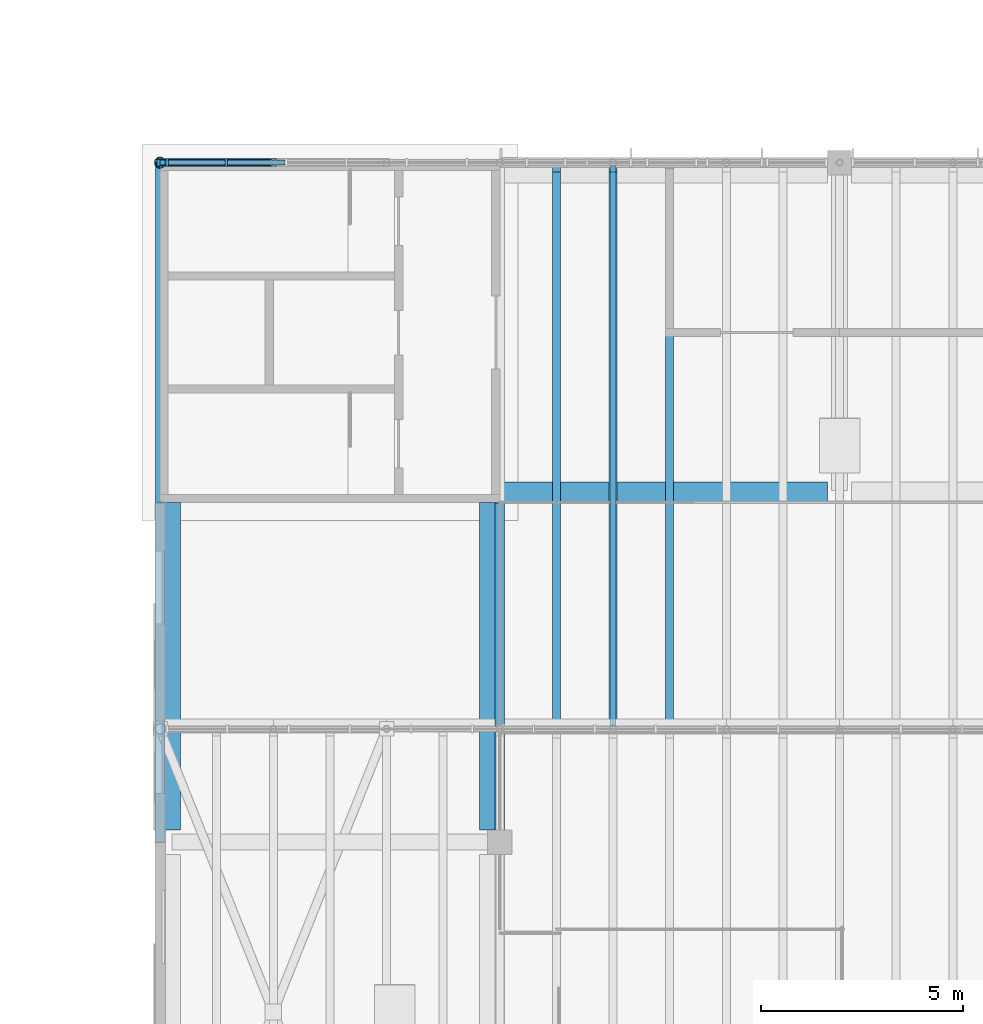
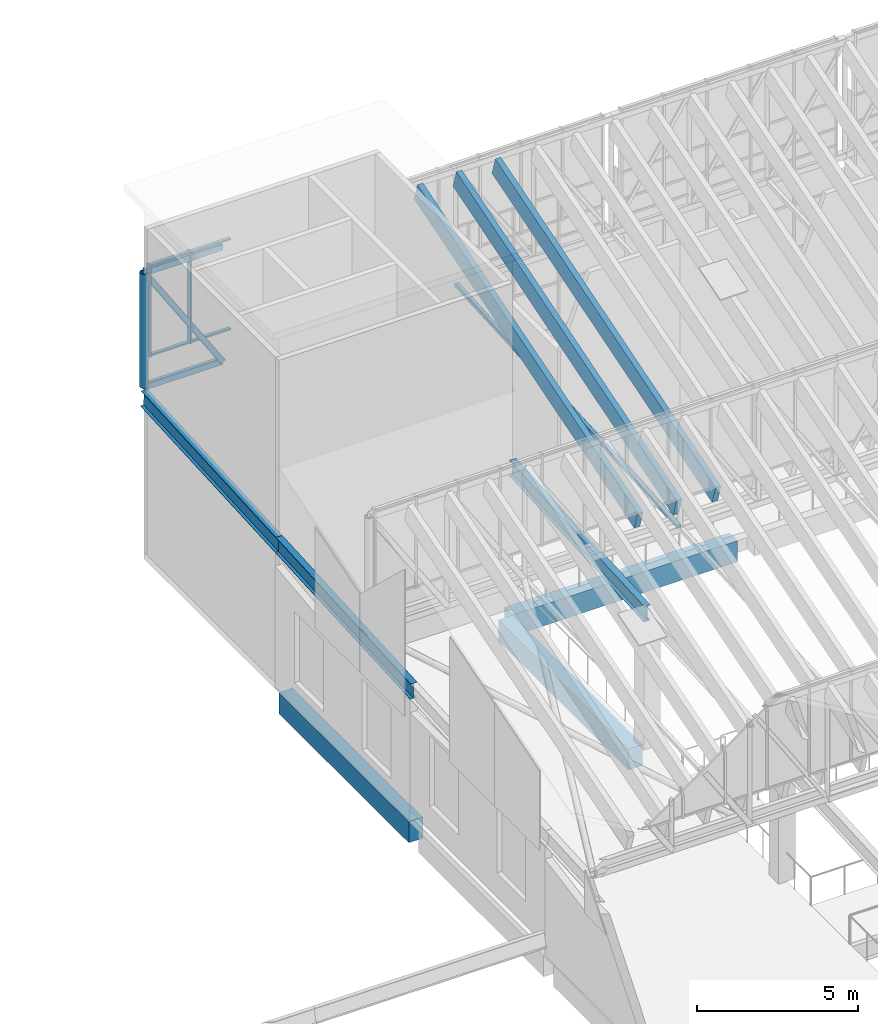
# One storey, part 30 of 91: 14 members, 6 beams, 1 element without a shape of its own.
"""IFC4 building model written with IfcOpenShell, lengths in metres."""

from ifc_helpers import new_model, si_unit, direction, frame, origin, origin_2d, place, context, subcontext, project, spatial, rectangle, hollow_rectangle, hollow_circle, i_section, extrude, material, material_profile, profile_set, type_object, element, aggregate, save


model = new_model("IFC4")

# Units and contexts
model_context = context("Model", 3, precision=1e-05, world=origin(), true_north=direction((0.0, 1.0)))
body_context = subcontext(model_context, "Body", "Model", "MODEL_VIEW")
ifc_project = project(units=[si_unit("LENGTHUNIT", "METRE"), si_unit("AREAUNIT", "SQUARE_METRE"), si_unit("VOLUMEUNIT", "CUBIC_METRE"), si_unit("PLANEANGLEUNIT", "RADIAN"), si_unit("MASSUNIT", "GRAM", prefix="KILO")], contexts=[model_context])

# Site, building, storey
site_placement = place(None, origin())
site = spatial("IfcSite", under=ifc_project, at=site_placement, CompositionType="ELEMENT")
building_placement = place(site_placement, origin())
building = spatial("IfcBuilding", under=site, at=building_placement, Name="Almond Square Museum", CompositionType="ELEMENT")
storey_placement = place(building_placement, frame((0.0, 0.0, 30.0)))
storey = spatial("IfcBuildingStorey", under=building, at=storey_placement, Name="L05", CompositionType="ELEMENT", Elevation=30.0)

# Curtain wall, members
ifc_material_1 = material(Name="Aluminium and laminated glass", Category="aluminium")
curtain_wall_type = type_object("IfcCurtainWallType", Name="Unitised curtain wall 1500 module", PredefinedType="NOTDEFINED", material=ifc_material_1)
curtain_wall_placement = place(storey_placement, origin())
curtain_wall = element("IfcCurtainWall", 1, at=curtain_wall_placement, inside=storey, type_object=curtain_wall_type, Name="Rooflight glazing AG3", PredefinedType="NOTDEFINED")
ifc_material_2 = material(Name="Anodised aluminium", Category="aluminium")
ifc_material_profile_1 = material_profile(ifc_material_2, rectangle(XDim=0.199951171875, YDim=0.06005859375, at=origin_2d()))
ifc_profile_set_1 = profile_set([ifc_material_profile_1], Name="Anodised aluminium")
member_type_1 = type_object("IfcMemberType", Name="Aluminium mullion 60 x 200", PredefinedType="MULLION", material=ifc_profile_set_1)
member_1_placement = place(storey_placement, frame((73.3798828125, 109.199951171875, 7.39990234375), z_axis=(0.0, 0.0, 1.0), x_axis=(0.0, 1.0, 0.0)))
member_1 = element("IfcMember", 2, at=member_1_placement, type_object=member_type_1, Name="CW-58 mullion 1", PredefinedType="MULLION", context=body_context, shape_type="SweptSolid", body=[
    extrude(rectangle(XDim=0.199951171875, YDim=0.06005859375, at=origin_2d()), origin(), (0.0, 0.0, 1.0), 3.480224609375),
])
member_2_placement = place(storey_placement, frame((74.83642578125, 109.199951171875, 7.39990234375), z_axis=(0.0, 0.0, 1.0), x_axis=(0.0, 1.0, 0.0)))
member_2 = element("IfcMember", 3, at=member_2_placement, type_object=member_type_1, Name="CW-58 mullion 2", PredefinedType="MULLION", context=body_context, shape_type="SweptSolid", body=[
    extrude(rectangle(XDim=0.199951171875, YDim=0.06005859375, at=origin_2d()), origin(), (0.0, 0.0, 1.0), 3.480224609375),
])
ifc_material_3 = material(Name="Anodised aluminium", Category="aluminium")
ifc_material_profile_2 = material_profile(ifc_material_3, rectangle(XDim=0.1201171875, YDim=0.06005859375, at=origin_2d()))
ifc_profile_set_2 = profile_set([ifc_material_profile_2], Name="Anodised aluminium")
member_type_2 = type_object("IfcMemberType", Name="Aluminium transom 60 x 120", PredefinedType="USERDEFINED", material=ifc_profile_set_2)
member_3_placement = place(storey_placement, frame((73.409912109375, 109.199951171875, 7.429931640625), z_axis=(1.0, 0.0, 0.0), x_axis=(0.0, 1.0, 0.0)))
member_3 = element("IfcMember", 4, at=member_3_placement, type_object=member_type_2, Name="CW-58 transom 1.1", ObjectType="TRANSOM", PredefinedType="USERDEFINED", context=body_context, shape_type="SweptSolid", body=[
    extrude(rectangle(XDim=0.1201171875, YDim=0.06005859375, at=origin_2d()), origin(), (0.0, 0.0, 1.0), 1.396484375),
])
member_4_placement = place(storey_placement, frame((73.409912109375, 109.199951171875, 10.850341796875), z_axis=(1.0, 0.0, 0.0), x_axis=(0.0, 1.0, 0.0)))
member_4 = element("IfcMember", 5, at=member_4_placement, type_object=member_type_2, Name="CW-58 transom 1.2", ObjectType="TRANSOM", PredefinedType="USERDEFINED", context=body_context, shape_type="SweptSolid", body=[
    extrude(rectangle(XDim=0.1201171875, YDim=0.06005859375, at=origin_2d()), origin(), (0.0, 0.0, 1.0), 1.396484375),
])
member_5_placement = place(storey_placement, frame((74.866455078125, 109.199951171875, 7.429931640625), z_axis=(1.0, 0.0, 0.0), x_axis=(0.0, 1.0, 0.0)))
member_5 = element("IfcMember", 6, at=member_5_placement, type_object=member_type_2, Name="CW-58 transom 2.1", ObjectType="TRANSOM", PredefinedType="USERDEFINED", context=body_context, shape_type="SweptSolid", body=[
    extrude(rectangle(XDim=0.1201171875, YDim=0.06005859375, at=origin_2d()), origin(), (0.0, 0.0, 1.0), 1.42626953125),
])
member_6_placement = place(storey_placement, frame((74.866455078125, 109.199951171875, 10.850341796875), z_axis=(1.0, 0.0, 0.0), x_axis=(0.0, 1.0, 0.0)))
member_6 = element("IfcMember", 7, at=member_6_placement, type_object=member_type_2, Name="CW-58 transom 2.2", ObjectType="TRANSOM", PredefinedType="USERDEFINED", context=body_context, shape_type="SweptSolid", body=[
    extrude(rectangle(XDim=0.1201171875, YDim=0.06005859375, at=origin_2d()), origin(), (0.0, 0.0, 1.0), 1.42626953125),
])
aggregate(curtain_wall, [member_1, member_2, member_3, member_4, member_5, member_6])

# Beams
ifc_material_4 = material(Name="Structural steel S355", Category="steel")
ifc_material_profile_3 = material_profile(ifc_material_4, i_section(OverallWidth=0.22802734375, OverallDepth=0.60693359375, WebThickness=0.01123046875, FlangeThickness=0.017333984375, at=origin_2d()))
ifc_profile_set_3 = profile_set([ifc_material_profile_3], Name="Structural steel S355")
beam_type_1 = type_object("IfcBeamType", Name="Girder W610x113", PredefinedType="BEAM", material=ifc_profile_set_3)
beam_1_placement = place(storey_placement, frame((73.199951171875, 92.39990234375, 4.916748046875), z_axis=(0.0, 0.998371523297, 0.057046485157), x_axis=(-1.0, 0.0, 0.0)))
element("IfcBeam", 8, at=beam_1_placement, inside=storey, type_object=beam_type_1, Name="Atrium roof girder 1.3", PredefinedType="BEAM", context=body_context, shape_type="SweptSolid", body=[
    extrude(i_section(OverallWidth=0.22802734375, OverallDepth=0.60693359375, WebThickness=0.01123046875, FlangeThickness=0.017333984375, at=origin_2d()), origin(), (0.0, 0.0, 1.0), 8.413818359375),
])
beam_2_placement = place(storey_placement, frame((73.199951171875, 100.800048828125, 5.396728515625), z_axis=(0.0, 0.998371428865, 0.0570481378), x_axis=(-1.0, 0.0, 0.0)))
element("IfcBeam", 9, at=beam_2_placement, inside=storey, type_object=beam_type_1, Name="Atrium roof girder 1.4", PredefinedType="BEAM", context=body_context, shape_type="SweptSolid", body=[
    extrude(i_section(OverallWidth=0.22802734375, OverallDepth=0.60693359375, WebThickness=0.01123046875, FlangeThickness=0.017333984375, at=origin_2d()), origin(), (0.0, 0.0, 1.0), 8.41357421875),
])
beam_3_placement = place(storey_placement, frame((81.60009765625, 92.39990234375, 4.916748046875), z_axis=(0.0, 0.998371523297, 0.057046485157), x_axis=(-1.0, 0.0, 0.0)))
element("IfcBeam", 10, at=beam_3_placement, inside=storey, type_object=beam_type_1, Name="Atrium roof girder 2.3", PredefinedType="BEAM", context=body_context, shape_type="SweptSolid", body=[
    extrude(i_section(OverallWidth=0.22802734375, OverallDepth=0.60693359375, WebThickness=0.01123046875, FlangeThickness=0.017333984375, at=origin_2d()), origin(), (0.0, 0.0, 1.0), 8.413818359375),
])

# Members
ifc_material_5 = material(Name="Glulam GL28h", Category="wood")
ifc_material_profile_4 = material_profile(ifc_material_5, rectangle(XDim=0.199951171875, YDim=0.699951171875, at=origin_2d()))
ifc_profile_set_4 = profile_set([ifc_material_profile_4], Name="Glulam GL28h")
member_type_3 = type_object("IfcMemberType", Name="Glulam rafter GL28h 200x700", PredefinedType="RAFTER", material=ifc_profile_set_4)
for number, where, z_axis, x_axis, name in (
    (11, (83.0, 95.35791015625, 6.177734375), (0.0, 0.956302273391, 0.292379824727), (-1.0, 0.0, 0.0), "Atrium rafter 3.8"),
    (12, (84.39990234375, 95.35791015625, 6.177734375), (0.0, 0.956302273391, 0.292379824727), (-1.0, 0.0, 0.0), "Atrium rafter 3.9"),
    (13, (85.800048828125, 95.35791015625, 6.177734375), (0.0, 0.956302273391, 0.292379824727), (-1.0, 0.0, 0.0), "Atrium rafter 3.10"),
):
    element("IfcMember", number, at=place(storey_placement, frame(where, z_axis=z_axis, x_axis=x_axis)), inside=storey, type_object=member_type_3, Name=name, PredefinedType="RAFTER", context=body_context, shape_type="SweptSolid", body=[
        extrude(rectangle(XDim=0.199951171875, YDim=0.699951171875, at=origin_2d()), origin(), (0.0, 0.0, 1.0), 14.34375),
    ])

# Beams
ifc_material_6 = material(Name="Concrete C40/50", Category="concrete")
ifc_material_profile_5 = material_profile(ifc_material_6, rectangle(XDim=0.5, YDim=0.800048828125, at=origin_2d()))
ifc_profile_set_5 = profile_set([ifc_material_profile_5], Name="Concrete C40/50")
beam_type_2 = type_object("IfcBeamType", Name="RC edge beam 500 x 800 C40/50", PredefinedType="BEAM", material=ifc_profile_set_5)
beam_4_placement = place(storey_placement, frame((81.60009765625, 101.050048828125, -0.64990234375), z_axis=(1.0, 0.0, 0.0), x_axis=(0.0, 1.0, 0.0)))
element("IfcBeam", 14, at=beam_4_placement, inside=storey, type_object=beam_type_2, Name="Edge beam M 11-12 L05", PredefinedType="BEAM", context=body_context, shape_type="SweptSolid", body=[
    extrude(rectangle(XDim=0.5, YDim=0.800048828125, at=origin_2d()), origin(), (0.0, 0.0, 1.0), 8.099853515625),
])
for number, where, z_axis, x_axis, name in (
    (15, (73.449951171875, 92.699951171875, -0.64990234375), (0.0, 1.0, 0.0), (-1.0, 0.0, 0.0), "Edge beam 10 L-M L05"),
    (16, (81.35009765625, 92.699951171875, -0.64990234375), (0.0, 1.0, 0.0), (-1.0, 0.0, 0.0), "Edge beam 11 L-M L05"),
):
    element("IfcBeam", number, at=place(storey_placement, frame(where, z_axis=z_axis, x_axis=x_axis)), inside=storey, type_object=beam_type_2, Name=name, PredefinedType="BEAM", context=body_context, shape_type="SweptSolid", body=[
        extrude(rectangle(XDim=0.5, YDim=0.800048828125, at=origin_2d()), origin(), (0.0, 0.0, 1.0), 8.10009765625),
    ])

# Members
ifc_material_7 = material(Name="Structural steel S355", Category="steel")
ifc_material_profile_6 = material_profile(ifc_material_7, hollow_rectangle(XDim=0.14990234375, YDim=0.25, WallThickness=0.010009765625, InnerFilletRadius=0.014892578125, OuterFilletRadius=0.02490234375, at=origin_2d()))
ifc_profile_set_6 = profile_set([ifc_material_profile_6], Name="Structural steel S355")
member_type_4 = type_object("IfcMemberType", Name="Truss chord RHS 250x150x10", PredefinedType="CHORD", material=ifc_profile_set_6)
for number, where, z_axis, x_axis, name in (
    (17, (73.199951171875, 109.199951171875, 10.650634765625), (1.0, 0.0, 0.0), (0.0, 1.0, 0.0), "TR-12 top chord 1"),
    (18, (73.199951171875, 109.199951171875, 6.30517578125), (1.0, 0.0, 0.0), (0.0, 1.0, 0.0), "TR-12 bottom chord 1"),
):
    element("IfcMember", number, at=place(storey_placement, frame(where, z_axis=z_axis, x_axis=x_axis)), inside=storey, type_object=member_type_4, Name=name, PredefinedType="CHORD", context=body_context, shape_type="SweptSolid", body=[
        extrude(hollow_rectangle(XDim=0.14990234375, YDim=0.25, WallThickness=0.010009765625, InnerFilletRadius=0.014892578125, OuterFilletRadius=0.02490234375, at=origin_2d()), origin(), (0.0, 0.0, 1.0), 2.800048828125),
    ])
ifc_material_8 = material(Name="Structural steel S355", Category="steel")
ifc_material_profile_7 = material_profile(ifc_material_8, hollow_rectangle(XDim=0.199951171875, YDim=0.199951171875, WallThickness=0.010009765625, InnerFilletRadius=0.014892578125, OuterFilletRadius=0.02490234375, at=origin_2d()))
ifc_profile_set_7 = profile_set([ifc_material_profile_7], Name="Structural steel S355")
member_type_5 = type_object("IfcMemberType", Name="Truss diagonal SHS 200x200x10", PredefinedType="BRACE", material=ifc_profile_set_7)
member_7_placement = place(storey_placement, frame((73.199951171875, 109.199951171875, 10.650634765625), z_axis=(0.541652391523, 0.0, -0.840602573609), x_axis=(0.0, 1.0, 0.0)))
element("IfcMember", 19, at=member_7_placement, inside=storey, type_object=member_type_5, Name="TR-12 diagonal 1", PredefinedType="BRACE", context=body_context, shape_type="SweptSolid", body=[
    extrude(hollow_rectangle(XDim=0.199951171875, YDim=0.199951171875, WallThickness=0.010009765625, InnerFilletRadius=0.014892578125, OuterFilletRadius=0.02490234375, at=origin_2d()), origin(), (0.0, 0.0, 1.0), 5.16943359375),
])
ifc_material_9 = material(Name="Structural steel S355", Category="steel")
ifc_material_profile_8 = material_profile(ifc_material_9, hollow_circle(Radius=0.136474609375, WallThickness=0.012451171875, at=origin_2d()))
ifc_profile_set_8 = profile_set([ifc_material_profile_8], Name="Structural steel S355")
member_type_6 = type_object("IfcMemberType", Name="Truss post CHS 273x12.5", PredefinedType="POST", material=ifc_profile_set_8)
member_8_placement = place(storey_placement, frame((73.199951171875, 109.199951171875, 6.30517578125), z_axis=(0.0, 0.0, 1.0), x_axis=(1.0, 0.0, 0.0)))
element("IfcMember", 20, at=member_8_placement, inside=storey, type_object=member_type_6, Name="TR-12 post 1", PredefinedType="POST", context=body_context, shape_type="SweptSolid", body=[
    extrude(hollow_circle(Radius=0.136474609375, WallThickness=0.012451171875, at=origin_2d()), origin(), (0.0, 0.0, 1.0), 4.345458984375),
])
ifc_material_10 = material(Name="Structural steel S355", Category="steel")
ifc_material_profile_9 = material_profile(ifc_material_10, hollow_rectangle(XDim=0.14990234375, YDim=0.14990234375, WallThickness=0.008056640625, InnerFilletRadius=0.011962890625, OuterFilletRadius=0.02001953125, at=origin_2d()))
ifc_profile_set_9 = profile_set([ifc_material_profile_9], Name="Structural steel S355")
member_type_7 = type_object("IfcMemberType", Name="Truss tie SHS 150x150x8", PredefinedType="MEMBER", material=ifc_profile_set_9)
member_9_placement = place(storey_placement, frame((84.39990234375, 95.27490234375, 5.505126953125), z_axis=(0.0, 0.998335774698, 0.057668717322), x_axis=(-1.0, 0.0, 0.0)))
element("IfcMember", 21, at=member_9_placement, inside=storey, type_object=member_type_7, Name="Atrium bay 2 tie 3", PredefinedType="MEMBER", context=body_context, shape_type="SweptSolid", body=[
    extrude(hollow_rectangle(XDim=0.14990234375, YDim=0.14990234375, WallThickness=0.008056640625, InnerFilletRadius=0.011962890625, OuterFilletRadius=0.02001953125, at=origin_2d()), origin(), (0.0, 0.0, 1.0), 13.873291015625),
])

save(model, "model.ifc")
